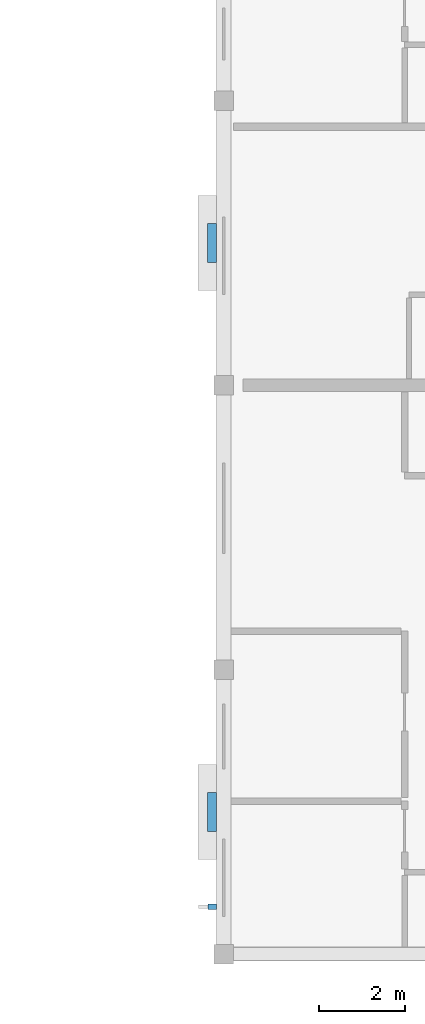
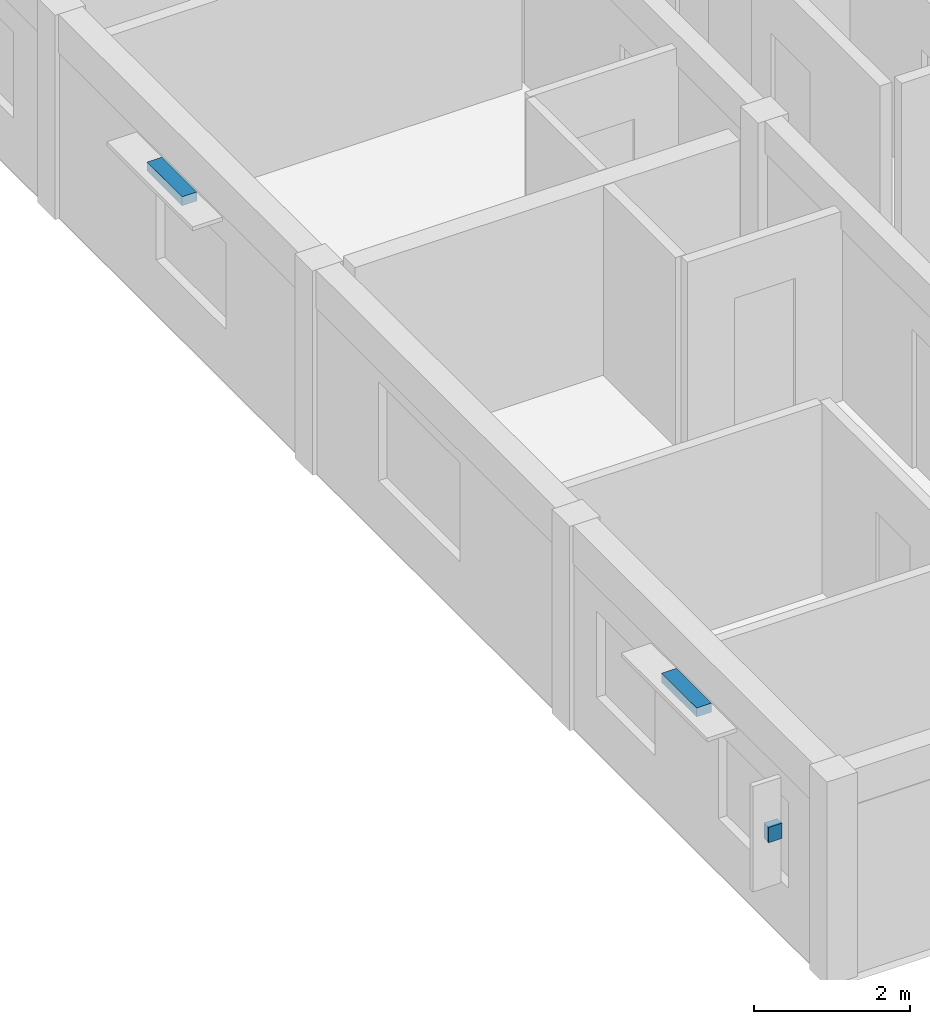
# One storey, part 45 of 53: 3 discrete accessories.
"""IFC4 building model written with IfcOpenShell, lengths in metres."""

from ifc_helpers import new_model, si_unit, direction, frame, origin, origin_2d, place, context, subcontext, project, spatial, rectangle, extrude, material, type_object, element, save


model = new_model("IFC4")

# Units and contexts
model_context = context("Model", 3, precision=1e-05, world=origin(), true_north=direction((0.0, 1.0)))
body_context = subcontext(model_context, "Body", "Model", "MODEL_VIEW")
ifc_project = project(units=[si_unit("LENGTHUNIT", "METRE"), si_unit("AREAUNIT", "SQUARE_METRE"), si_unit("VOLUMEUNIT", "CUBIC_METRE"), si_unit("PLANEANGLEUNIT", "RADIAN"), si_unit("MASSUNIT", "GRAM", prefix="KILO")], contexts=[model_context])

# Site, building, storey
site_placement = place(None, origin())
site = spatial("IfcSite", under=ifc_project, at=site_placement, CompositionType="ELEMENT")
building_placement = place(site_placement, origin())
building = spatial("IfcBuilding", under=site, at=building_placement, Name="Kernevlak Ridge Housing Community", CompositionType="ELEMENT")
storey_placement = place(building_placement, frame((0.0, 0.0, 24.39990234375)))
storey = spatial("IfcBuildingStorey", under=building, at=storey_placement, Name="L07", CompositionType="ELEMENT", Elevation=24.39990234375)

# Discrete accessories
ifc_material = material(Name="Steel S355 galvanised", Category="steel")
discrete_accessory_type = type_object("IfcDiscreteAccessoryType", Name="BK-01", PredefinedType="BRACKET", material=ifc_material)
discrete_accessory_1_placement = place(storey_placement, frame((125.72998046875, 18.89990234375, 2.41015625), z_axis=(0.0, 0.0, 1.0), x_axis=(0.0, 1.0, 0.0)))
element("IfcDiscreteAccessory", 1, at=discrete_accessory_1_placement, inside=storey, type_object=discrete_accessory_type, Name="Sunshade steel bracket 33", PredefinedType="BRACKET", context=body_context, shape_type="SweptSolid", body=[
    extrude(rectangle(XDim=0.89990234375, YDim=0.219970703125, at=origin_2d()), origin(), (0.0, 0.0, 1.0), 0.139892578125),
])
discrete_accessory_2_placement = place(storey_placement, frame((125.739990234375, 16.699951171875, 1.5302734375), z_axis=(0.0, 0.0, 1.0), x_axis=(0.0, 1.0, 0.0)))
element("IfcDiscreteAccessory", 2, at=discrete_accessory_2_placement, inside=storey, type_object=discrete_accessory_type, Name="Vertical fin fixing bracket 33", PredefinedType="BRACKET", context=body_context, shape_type="SweptSolid", body=[
    extrude(rectangle(XDim=0.1201171875, YDim=0.199951171875, at=origin_2d()), origin(), (0.0, 0.0, 1.0), 0.239990234375),
])
discrete_accessory_3_placement = place(storey_placement, frame((125.72998046875, 32.10009765625, 2.41015625), z_axis=(0.0, 0.0, 1.0), x_axis=(0.0, 1.0, 0.0)))
element("IfcDiscreteAccessory", 3, at=discrete_accessory_3_placement, inside=storey, type_object=discrete_accessory_type, Name="Sunshade steel bracket 34", PredefinedType="BRACKET", context=body_context, shape_type="SweptSolid", body=[
    extrude(rectangle(XDim=0.89990234375, YDim=0.219970703125, at=origin_2d()), origin(), (0.0, 0.0, 1.0), 0.139892578125),
])

save(model, "model.ifc")
